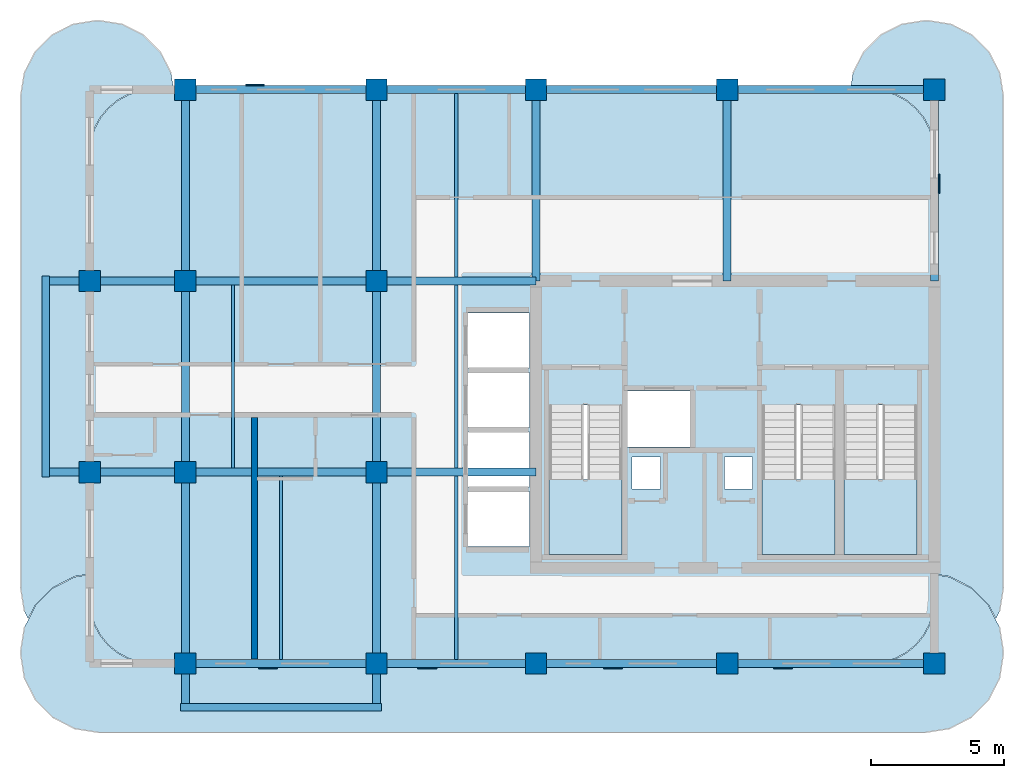
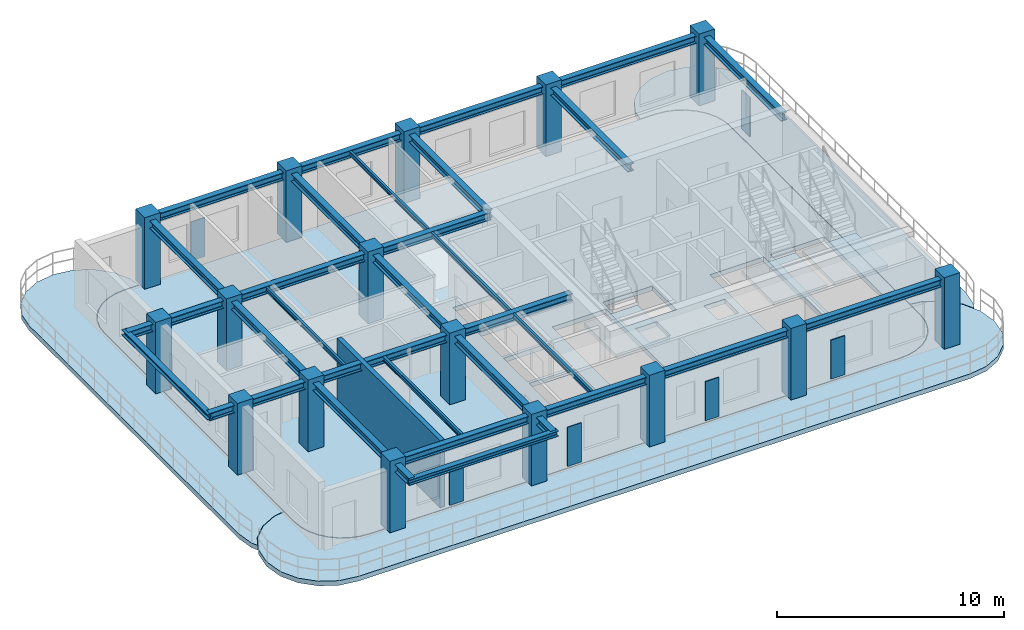
# One storey, part 1 of 7: 28 beams, 16 columns, 7 slabs, 6 plates, 1 wall, 3 elements without a shape of their own.
"""IFC4 building model written with IfcOpenShell, lengths in metres."""

from ifc_helpers import new_model, si_unit, derived_unit, direction, frame, frame_2d, origin, origin_2d, place, context, subcontext, project, spatial, polyline, rectangle, i_section, outline, extrude, source, transform, mapped, material, layer, layer_set, material_profile, profile_set, type_object, type_shapes, element, aggregate, save


model = new_model("IFC4")

# Units and contexts
model_context = context("Model", 3, precision=1e-05, world=origin(), true_north=direction((0.0, 1.0)))
body_context = subcontext(model_context, "Body", "Model", "MODEL_VIEW")
ifc_project = project(units=[si_unit("LENGTHUNIT", "METRE"), si_unit("AREAUNIT", "SQUARE_METRE"), si_unit("VOLUMEUNIT", "CUBIC_METRE"), si_unit("PLANEANGLEUNIT", "RADIAN"), si_unit("MASSUNIT", "GRAM", prefix="KILO"), si_unit("THERMODYNAMICTEMPERATUREUNIT", "KELVIN"), si_unit("POWERUNIT", "WATT"), derived_unit("THERMALTRANSMITTANCEUNIT", [(si_unit("POWERUNIT", "WATT"), 1), (si_unit("AREAUNIT", "SQUARE_METRE"), -1), (si_unit("THERMODYNAMICTEMPERATUREUNIT", "KELVIN"), -1)])], contexts=[model_context])

# Site, building, storey
site_placement = place(None, origin())
site = spatial("IfcSite", under=ifc_project, at=site_placement, CompositionType="ELEMENT")
building_placement = place(site_placement, origin())
building = spatial("IfcBuilding", under=site, at=building_placement, Name="Zahravan Archway Hotel and Residences", CompositionType="ELEMENT")
storey_placement = place(building_placement, frame((0.0, 0.0, 271.199951171875)))
storey = spatial("IfcBuildingStorey", under=building, at=storey_placement, Name="L68", CompositionType="ELEMENT", Elevation=271.199951171875)

# Columns
ifc_material_1 = material(Name="Concrete C50/60", Category="concrete")
ifc_material_profile_1 = material_profile(ifc_material_1, rectangle(XDim=0.800048828125, YDim=0.800048828125, at=origin_2d()), Name="RC-COL-800x800", Category="concrete")
ifc_profile_set_1 = profile_set([ifc_material_profile_1], Name="Concrete C50/60")
column_type = type_object("IfcColumnType", Name="COL-RC-800", PredefinedType="COLUMN", material=ifc_profile_set_1)
shared_shape_1 = source(origin(), body_context, "Body", "SweptSolid", [
    extrude(rectangle(XDim=0.800048828125, YDim=0.800048828125, at=origin_2d()), origin(), (0.0, 0.0, 1.0), 3.85009765625),
])
for number, where, z_axis, x_axis, name in (
    (1, (21.60009765625, 0.0, 0.0), (0.0, 0.0, 1.0), (1.0, 0.0, 0.0), "L68 Column 4-A"),
    (2, (21.60009765625, 7.199951171875, 0.0), (0.0, 0.0, 1.0), (1.0, 0.0, 0.0), "L68 Column 4-B"),
    (3, (21.60009765625, 14.39990234375, 0.0), (0.0, 0.0, 1.0), (1.0, 0.0, 0.0), "L68 Column 4-C"),
    (4, (21.60009765625, 21.60009765625, 0.0), (0.0, 0.0, 1.0), (1.0, 0.0, 0.0), "L68 Column 4-D"),
    (5, (28.800048828125, 0.0, 0.0), (0.0, 0.0, 1.0), (1.0, 0.0, 0.0), "L68 Column 5-A"),
    (6, (28.800048828125, 7.199951171875, 0.0), (0.0, 0.0, 1.0), (1.0, 0.0, 0.0), "L68 Column 5-B"),
    (7, (28.800048828125, 14.39990234375, 0.0), (0.0, 0.0, 1.0), (1.0, 0.0, 0.0), "L68 Column 5-C"),
    (8, (28.800048828125, 21.60009765625, 0.0), (0.0, 0.0, 1.0), (1.0, 0.0, 0.0), "L68 Column 5-D"),
    (9, (34.800048828125, 0.0, 0.0), (0.0, 0.0, 1.0), (1.0, 0.0, 0.0), "L68 Column 6-A"),
    (10, (34.800048828125, 21.60009765625, 0.0), (0.0, 0.0, 1.0), (1.0, 0.0, 0.0), "L68 Column 6-D"),
    (11, (42.0, 0.0, 0.0), (0.0, 0.0, 1.0), (1.0, 0.0, 0.0), "L68 Column 7-A"),
    (12, (42.0, 21.60009765625, 0.0), (0.0, 0.0, 1.0), (1.0, 0.0, 0.0), "L68 Column 7-D"),
    (13, (49.800048828125, 0.0, 0.0), (0.0, 0.0, 1.0), (1.0, 0.0, 0.0), "L68 Column 8-A"),
    (14, (49.800048828125, 21.60009765625, 0.0), (0.0, 0.0, 1.0), (1.0, 0.0, 0.0), "L68 Column 8-D"),
    (15, (18.0, 7.199951171875, 0.0), (0.0, 0.0, 1.0), (1.0, 0.0, 0.0), "L68 Column 3W-B"),
    (16, (18.0, 14.39990234375, 0.0), (0.0, 0.0, 1.0), (1.0, 0.0, 0.0), "L68 Column 3W-C"),
):
    element("IfcColumn", number, at=place(storey_placement, frame(where, z_axis=z_axis, x_axis=x_axis)), inside=storey, type_object=column_type, Name=name, PredefinedType="COLUMN", context=body_context, shape_type="MappedRepresentation", body=[
        mapped(shared_shape_1, transform((0.0, 0.0, 0.0), scale=1.0)),
    ])

# Beams
ifc_material_2 = material(Name="Structural Steel S355JR", Category="steel")
ifc_material_profile_2 = material_profile(ifc_material_2, i_section(OverallWidth=0.280029296875, OverallDepth=0.280029296875, WebThickness=0.010498046875, FlangeThickness=0.01806640625, FilletRadius=0.02392578125, at=origin_2d()), Name="HEB 280", Category="steel")
ifc_profile_set_2 = profile_set([ifc_material_profile_2], Name="Structural Steel S355JR")
beam_type_1 = type_object("IfcBeamType", Name="BM-SPN-HEB280", PredefinedType="SPANDREL", material=ifc_profile_set_2)
shared_shape_2 = source(origin(), body_context, "Body", "SweptSolid", [
    extrude(i_section(OverallWidth=0.280029296875, OverallDepth=0.280029296875, WebThickness=0.010498046875, FlangeThickness=0.01806640625, FilletRadius=0.02392578125, at=origin_2d()), origin(), (0.0, 0.0, 1.0), 7.56005859375),
])
type_shapes(beam_type_1, [shared_shape_2])
for number, where, z_axis, x_axis, name in (
    (17, (16.35009765625, 7.02001953125, 3.4599609375), (0.0, 1.0, 0.0), (-1.0, 0.0, 0.0), "L69 WA Balcony Edge Spandrel"),
    (18, (21.419921875, -1.64990234375, 3.4599609375), (1.0, 0.0, 0.0), (0.0, 1.0, 0.0), "L69 SA Balcony Edge Spandrel"),
):
    element("IfcBeam", number, at=place(storey_placement, frame(where, z_axis=z_axis, x_axis=x_axis)), inside=storey, type_object=beam_type_1, Name=name, PredefinedType="SPANDREL", context=body_context, shape_type="MappedRepresentation", body=[
        mapped(shared_shape_2, transform((0.0, 0.0, 0.0), scale=1.0)),
    ])
ifc_material_profile_3 = material_profile(ifc_material_2, i_section(OverallWidth=0.300048828125, OverallDepth=0.39990234375, WebThickness=0.013427734375, FlangeThickness=0.02392578125, FilletRadius=0.027099609375, at=origin_2d()), Name="HEB 400", Category="steel")
ifc_profile_set_3 = profile_set([ifc_material_profile_3], Name="Structural Steel S355JR")
beam_type_2 = type_object("IfcBeamType", Name="BM-PRI-HEB400", PredefinedType="BEAM", material=ifc_profile_set_3)
shared_shape_3 = source(origin(), body_context, "Body", "SweptSolid", [
    extrude(i_section(OverallWidth=0.300048828125, OverallDepth=0.39990234375, WebThickness=0.013427734375, FlangeThickness=0.02392578125, FilletRadius=0.027099609375, at=origin_2d()), origin(), (0.0, 0.0, 1.0), 7.199951171875),
])
type_shapes(beam_type_2, [shared_shape_3])
for number, where, z_axis, x_axis, name in (
    (19, (21.60009765625, 0.0, 3.400146484375), (1.0, 0.0, 0.0), (0.0, 1.0, 0.0), "L68 Primary Girder EW-01"),
    (20, (34.800048828125, 0.0, 3.400146484375), (1.0, 0.0, 0.0), (0.0, 1.0, 0.0), "L68 Primary Girder EW-03"),
    (21, (21.60009765625, 21.60009765625, 3.400146484375), (1.0, 0.0, 0.0), (0.0, 1.0, 0.0), "L68 Primary Girder EW-09"),
    (22, (34.800048828125, 21.60009765625, 3.400146484375), (1.0, 0.0, 0.0), (0.0, 1.0, 0.0), "L68 Primary Girder EW-11"),
    (23, (21.60009765625, 7.199951171875, 3.400146484375), (0.0, 1.0, 0.0), (-1.0, 0.0, 0.0), "L68 Primary Girder NS-14"),
    (24, (28.800048828125, 7.199951171875, 3.400146484375), (0.0, 1.0, 0.0), (-1.0, 0.0, 0.0), "L68 Primary Girder NS-17"),
):
    element("IfcBeam", number, at=place(storey_placement, frame(where, z_axis=z_axis, x_axis=x_axis)), inside=storey, type_object=beam_type_2, Name=name, PredefinedType="BEAM", context=body_context, shape_type="MappedRepresentation", body=[
        mapped(shared_shape_3, transform((0.0, 0.0, 0.0), scale=1.0)),
    ])
shared_shape_4 = source(origin(), body_context, "Body", "SweptSolid", [
    extrude(i_section(OverallWidth=0.300048828125, OverallDepth=0.39990234375, WebThickness=0.013427734375, FlangeThickness=0.02392578125, FilletRadius=0.027099609375, at=origin_2d()), origin(), (0.0, 0.0, 1.0), 6.0),
])
for number, where, z_axis, x_axis, name in (
    (25, (28.800048828125, 0.0, 3.400146484375), (1.0, 0.0, 0.0), (0.0, 1.0, 0.0), "L68 Primary Girder EW-02"),
    (26, (28.800048828125, 7.199951171875, 3.400146484375), (1.0, 0.0, 0.0), (0.0, 1.0, 0.0), "L68 Primary Girder EW-06"),
    (27, (28.800048828125, 14.39990234375, 3.400146484375), (1.0, 0.0, 0.0), (0.0, 1.0, 0.0), "L68 Primary Girder EW-08"),
    (28, (28.800048828125, 21.60009765625, 3.400146484375), (1.0, 0.0, 0.0), (0.0, 1.0, 0.0), "L68 Primary Girder EW-10"),
):
    element("IfcBeam", number, at=place(storey_placement, frame(where, z_axis=z_axis, x_axis=x_axis)), inside=storey, type_object=beam_type_2, Name=name, PredefinedType="BEAM", context=body_context, shape_type="MappedRepresentation", body=[
        mapped(shared_shape_4, transform((0.0, 0.0, 0.0), scale=1.0)),
    ])
shared_shape_5 = source(origin(), body_context, "Body", "SweptSolid", [
    extrude(i_section(OverallWidth=0.300048828125, OverallDepth=0.39990234375, WebThickness=0.013427734375, FlangeThickness=0.02392578125, FilletRadius=0.027099609375, at=origin_2d()), origin(), (0.0, 0.0, 1.0), 7.800048828125),
])
for number, where, z_axis, x_axis, name in (
    (29, (42.0, 0.0, 3.400146484375), (1.0, 0.0, 0.0), (0.0, 1.0, 0.0), "L68 Primary Girder EW-04"),
    (30, (42.0, 21.60009765625, 3.400146484375), (1.0, 0.0, 0.0), (0.0, 1.0, 0.0), "L68 Primary Girder EW-12"),
):
    element("IfcBeam", number, at=place(storey_placement, frame(where, z_axis=z_axis, x_axis=x_axis)), inside=storey, type_object=beam_type_2, Name=name, PredefinedType="BEAM", context=body_context, shape_type="MappedRepresentation", body=[
        mapped(shared_shape_5, transform((0.0, 0.0, 0.0), scale=1.0)),
    ])
shared_shape_6 = source(origin(), body_context, "Body", "SweptSolid", [
    extrude(i_section(OverallWidth=0.300048828125, OverallDepth=0.39990234375, WebThickness=0.013427734375, FlangeThickness=0.02392578125, FilletRadius=0.027099609375, at=origin_2d()), origin(), (0.0, 0.0, 1.0), 7.2001953125),
])
for number, where, z_axis, x_axis, name in (
    (31, (21.60009765625, 14.39990234375, 3.400146484375), (0.0, 1.0, 0.0), (-1.0, 0.0, 0.0), "L68 Primary Girder NS-15"),
    (32, (28.800048828125, 14.39990234375, 3.400146484375), (0.0, 1.0, 0.0), (-1.0, 0.0, 0.0), "L68 Primary Girder NS-18"),
    (33, (34.800048828125, 14.39990234375, 3.400146484375), (0.0, 1.0, 0.0), (-1.0, 0.0, 0.0), "L68 Primary Girder NS-19"),
    (34, (42.0, 14.39990234375, 3.400146484375), (0.0, 1.0, 0.0), (-1.0, 0.0, 0.0), "L68 Primary Girder NS-20"),
    (35, (49.800048828125, 14.39990234375, 3.400146484375), (0.0, 1.0, 0.0), (-1.0, 0.0, 0.0), "L68 Primary Girder NS-21"),
):
    element("IfcBeam", number, at=place(storey_placement, frame(where, z_axis=z_axis, x_axis=x_axis)), inside=storey, type_object=beam_type_2, Name=name, PredefinedType="BEAM", context=body_context, shape_type="MappedRepresentation", body=[
        mapped(shared_shape_6, transform((0.0, 0.0, 0.0), scale=1.0)),
    ])
ifc_material_profile_4 = material_profile(ifc_material_2, i_section(OverallWidth=0.1201171875, OverallDepth=0.239990234375, WebThickness=0.006103515625, FlangeThickness=0.009765625, FilletRadius=0.014892578125, at=origin_2d()), Name="IPE 240", Category="steel")
ifc_profile_set_4 = profile_set([ifc_material_profile_4], Name="Structural Steel S355JR")
beam_type_3 = type_object("IfcBeamType", Name="BM-JST-IPE240", PredefinedType="JOIST", material=ifc_profile_set_4)
shared_shape_7 = source(origin(), body_context, "Body", "SweptSolid", [
    extrude(i_section(OverallWidth=0.1201171875, OverallDepth=0.239990234375, WebThickness=0.006103515625, FlangeThickness=0.009765625, FilletRadius=0.014892578125, at=origin_2d()), origin(), (0.0, 0.0, 1.0), 6.904052734375),
])
type_shapes(beam_type_3, [shared_shape_7])
for number, where, z_axis, x_axis, name in (
    (36, (25.199951171875, 0.14794921875, 3.47998046875), (0.0, 1.0, 0.0), (-1.0, 0.0, 0.0), "L68 Composite Floor Joist 01"),
    (37, (31.800048828125, 0.14794921875, 3.47998046875), (0.0, 1.0, 0.0), (-1.0, 0.0, 0.0), "L68 Composite Floor Joist 02"),
    (38, (23.39990234375, 7.347900390625, 3.47998046875), (0.0, 1.0, 0.0), (-1.0, 0.0, 0.0), "L68 Composite Floor Joist 03"),
    (39, (31.800048828125, 7.347900390625, 3.47998046875), (0.0, 1.0, 0.0), (-1.0, 0.0, 0.0), "L68 Composite Floor Joist 04"),
):
    element("IfcBeam", number, at=place(storey_placement, frame(where, z_axis=z_axis, x_axis=x_axis)), inside=storey, type_object=beam_type_3, Name=name, PredefinedType="JOIST", context=body_context, shape_type="MappedRepresentation", body=[
        mapped(shared_shape_7, transform((0.0, 0.0, 0.0), scale=1.0)),
    ])
shared_shape_8 = source(origin(), body_context, "Body", "SweptSolid", [
    extrude(i_section(OverallWidth=0.1201171875, OverallDepth=0.239990234375, WebThickness=0.006103515625, FlangeThickness=0.009765625, FilletRadius=0.014892578125, at=origin_2d()), origin(), (0.0, 0.0, 1.0), 6.90380859375),
])
beam_placement = place(storey_placement, frame((31.800048828125, 14.548095703125, 3.47998046875), z_axis=(0.0, 1.0, 0.0), x_axis=(-1.0, 0.0, 0.0)))
element("IfcBeam", 40, at=beam_placement, inside=storey, type_object=beam_type_3, Name="L68 Composite Floor Joist 05", PredefinedType="JOIST", context=body_context, shape_type="MappedRepresentation", body=[
    mapped(shared_shape_8, transform((0.0, 0.0, 0.0), scale=1.0)),
])
shared_shape_9 = source(origin(), body_context, "Body", "SweptSolid", [
    extrude(i_section(OverallWidth=0.300048828125, OverallDepth=0.39990234375, WebThickness=0.013427734375, FlangeThickness=0.02392578125, FilletRadius=0.027099609375, at=origin_2d()), origin(), (0.0, 0.0, 1.0), 12.449951171875),
])
for number, where, z_axis, x_axis, name in (
    (41, (16.35009765625, 7.199951171875, 3.400146484375), (1.0, 0.0, 0.0), (0.0, 1.0, 0.0), "L68 Primary Girder EW-05"),
    (42, (16.35009765625, 14.39990234375, 3.400146484375), (1.0, 0.0, 0.0), (0.0, 1.0, 0.0), "L68 Primary Girder EW-07"),
):
    element("IfcBeam", number, at=place(storey_placement, frame(where, z_axis=z_axis, x_axis=x_axis)), inside=storey, type_object=beam_type_2, Name=name, PredefinedType="BEAM", context=body_context, shape_type="MappedRepresentation", body=[
        mapped(shared_shape_9, transform((0.0, 0.0, 0.0), scale=1.0)),
    ])
shared_shape_10 = source(origin(), body_context, "Body", "SweptSolid", [
    extrude(i_section(OverallWidth=0.300048828125, OverallDepth=0.39990234375, WebThickness=0.013427734375, FlangeThickness=0.02392578125, FilletRadius=0.027099609375, at=origin_2d()), origin(), (0.0, 0.0, 1.0), 8.849853515625),
])
for number, where, z_axis, x_axis, name in (
    (43, (21.60009765625, -1.64990234375, 3.400146484375), (0.0, 1.0, 0.0), (-1.0, 0.0, 0.0), "L68 Primary Girder NS-13"),
    (44, (28.800048828125, -1.64990234375, 3.400146484375), (0.0, 1.0, 0.0), (-1.0, 0.0, 0.0), "L68 Primary Girder NS-16"),
):
    element("IfcBeam", number, at=place(storey_placement, frame(where, z_axis=z_axis, x_axis=x_axis)), inside=storey, type_object=beam_type_2, Name=name, PredefinedType="BEAM", context=body_context, shape_type="MappedRepresentation", body=[
        mapped(shared_shape_10, transform((0.0, 0.0, 0.0), scale=1.0)),
    ])

# Slabs
ifc_material_3 = material(Name="Concrete C45/55", Category="concrete")
ifc_layer_1 = layer(ifc_material_3, 0.25, Name="Concrete C45/55", Category="concrete")
ifc_layer_set_1 = layer_set([ifc_layer_1], Name="Concrete C45/55")
slab_type_1 = type_object("IfcSlabType", Name="SLB-BALC-250", PredefinedType="FLOOR", material=ifc_layer_set_1)
slab_1_placement = place(storey_placement, frame((0.0, 0.0, -0.25)))
element("IfcSlab", 45, at=slab_1_placement, inside=storey, type_object=slab_type_1, Name="L68 Wing A South Rounded Balcony Band", PredefinedType="FLOOR", context=body_context, shape_type="SweptSolid", body=[
    extrude(outline(polyline([(50.361572265625, 3.255615234375), (51.18408203125, 2.836669921875), (51.836669921875, 2.18408203125), (52.255615234375, 1.361572265625), (52.39990234375, 0.449951171875), (52.39990234375, 0.35009765625), (52.255615234375, -0.5615234375), (51.836669921875, -1.384033203125), (51.18408203125, -2.03662109375), (50.361572265625, -2.45556640625), (49.449951171875, -2.60009765625), (18.35009765625, -2.60009765625), (17.4384765625, -2.45556640625), (16.615966796875, -2.03662109375), (15.96337890625, -1.384033203125), (15.54443359375, -0.5615234375), (15.39990234375, 0.35009765625), (15.39990234375, 0.449951171875), (15.54443359375, 1.361572265625), (15.96337890625, 2.18408203125), (16.615966796875, 2.836669921875), (17.4384765625, 3.255615234375), (17.97998046875, 3.34130859375), (17.97998046875, 2.39990234375), (17.97998046875, 2.39794921875), (18.026123046875, 1.9296875), (18.026611328125, 1.927978515625), (18.027099609375, 1.926025390625), (18.16357421875, 1.475830078125), (18.164306640625, 1.473876953125), (18.1650390625, 1.47216796875), (18.386962890625, 1.05712890625), (18.387939453125, 1.055419921875), (18.388916015625, 1.053955078125), (18.6875, 0.690185546875), (18.688720703125, 0.688720703125), (18.690185546875, 0.6875), (19.053955078125, 0.388916015625), (19.055419921875, 0.387939453125), (19.05712890625, 0.386962890625), (19.47216796875, 0.1650390625), (19.473876953125, 0.164306640625), (19.475830078125, 0.16357421875), (19.926025390625, 0.027099609375), (19.927978515625, 0.026611328125), (19.9296875, 0.026123046875), (20.39794921875, -0.02001953125), (20.39990234375, -0.02001953125), (47.39990234375, -0.02001953125), (47.402099609375, -0.02001953125), (47.8701171875, 0.026123046875), (47.8720703125, 0.026611328125), (47.8740234375, 0.027099609375), (48.32421875, 0.16357421875), (48.326171875, 0.164306640625), (48.327880859375, 0.1650390625), (48.742919921875, 0.386962890625), (48.744384765625, 0.387939453125), (48.74609375, 0.388916015625), (49.10986328125, 0.6875), (49.111083984375, 0.688720703125), (49.112548828125, 0.690185546875), (49.410888671875, 1.053955078125), (49.412109375, 1.055419921875), (49.4130859375, 1.05712890625), (49.635009765625, 1.47216796875), (49.6357421875, 1.473876953125), (49.636474609375, 1.475830078125), (49.77294921875, 1.926025390625), (49.7734375, 1.927978515625), (49.773681640625, 1.9296875), (49.81982421875, 2.39794921875), (49.820068359375, 2.39990234375), (49.820068359375, 3.34130859375), (50.361572265625, 3.255615234375)])), origin(), (0.0, 0.0, 1.0), 0.25),
])
slab_2_placement = place(storey_placement, frame((0.0, 0.0, -0.25)))
element("IfcSlab", 46, at=slab_2_placement, inside=storey, type_object=slab_type_1, Name="L68 Wing A East Rounded Balcony Band", PredefinedType="FLOOR", context=body_context, shape_type="SweptSolid", body=[
    extrude(outline(polyline([(46.739501953125, 22.230712890625), (47.144287109375, 23.025146484375), (47.77490234375, 23.65576171875), (48.5693359375, 24.060546875), (49.449951171875, 24.199951171875), (49.550048828125, 24.199951171875), (50.4306640625, 24.060546875), (51.22509765625, 23.65576171875), (51.855712890625, 23.025146484375), (52.260498046875, 22.230712890625), (52.39990234375, 21.35009765625), (52.39990234375, 2.85009765625), (52.260498046875, 1.96923828125), (52.114501953125, 1.6826171875), (51.8544921875, 2.193115234375), (51.853515625, 2.19482421875), (51.85205078125, 2.196533203125), (51.8505859375, 2.197998046875), (51.197998046875, 2.8505859375), (51.196533203125, 2.85205078125), (51.19482421875, 2.853515625), (51.193115234375, 2.8544921875), (50.37060546875, 3.2734375), (50.368896484375, 3.2744140625), (50.36669921875, 3.27490234375), (50.36474609375, 3.275390625), (49.822998046875, 3.361083984375), (49.8212890625, 3.361328125), (49.820068359375, 3.361328125), (49.820068359375, 19.199951171875), (49.81982421875, 19.201904296875), (49.773681640625, 19.670166015625), (49.7734375, 19.672119140625), (49.77294921875, 19.674072265625), (49.636474609375, 20.124267578125), (49.6357421875, 20.126220703125), (49.635009765625, 20.127685546875), (49.4130859375, 20.542724609375), (49.412109375, 20.54443359375), (49.410888671875, 20.546142578125), (49.112548828125, 20.909912109375), (49.111083984375, 20.9111328125), (49.10986328125, 20.91259765625), (48.74609375, 21.2109375), (48.744384765625, 21.212158203125), (48.742919921875, 21.213134765625), (48.327880859375, 21.434814453125), (48.326171875, 21.435791015625), (48.32421875, 21.436279296875), (47.8740234375, 21.572998046875), (47.8720703125, 21.573486328125), (47.8701171875, 21.57373046875), (47.402099609375, 21.619873046875), (47.39990234375, 21.6201171875), (46.642822265625, 21.6201171875), (46.739501953125, 22.230712890625)])), origin(), (0.0, 0.0, 1.0), 0.25),
])
slab_3_placement = place(storey_placement, frame((0.0, 0.0, -0.25)))
element("IfcSlab", 47, at=slab_3_placement, inside=storey, type_object=slab_type_1, Name="L68 Wing A West Rounded Balcony Band", PredefinedType="FLOOR", context=body_context, shape_type="SweptSolid", body=[
    extrude(outline(polyline([(15.53955078125, 1.96923828125), (15.39990234375, 2.85009765625), (15.39990234375, 21.35009765625), (15.53955078125, 22.230712890625), (15.9443359375, 23.025146484375), (16.57470703125, 23.65576171875), (17.369384765625, 24.060546875), (18.25, 24.199951171875), (18.35009765625, 24.199951171875), (19.230712890625, 24.060546875), (20.025146484375, 23.65576171875), (20.65576171875, 23.025146484375), (21.060546875, 22.230712890625), (21.1572265625, 21.6201171875), (20.39990234375, 21.6201171875), (20.39794921875, 21.619873046875), (19.9296875, 21.57373046875), (19.927978515625, 21.573486328125), (19.926025390625, 21.572998046875), (19.475830078125, 21.436279296875), (19.473876953125, 21.435791015625), (19.47216796875, 21.434814453125), (19.05712890625, 21.213134765625), (19.055419921875, 21.212158203125), (19.053955078125, 21.2109375), (18.690185546875, 20.91259765625), (18.688720703125, 20.9111328125), (18.6875, 20.909912109375), (18.388916015625, 20.546142578125), (18.387939453125, 20.54443359375), (18.386962890625, 20.542724609375), (18.1650390625, 20.127685546875), (18.164306640625, 20.126220703125), (18.16357421875, 20.124267578125), (18.027099609375, 19.674072265625), (18.026611328125, 19.672119140625), (18.026123046875, 19.670166015625), (17.97998046875, 19.201904296875), (17.97998046875, 19.199951171875), (17.97998046875, 3.361328125), (17.978759765625, 3.361328125), (17.976806640625, 3.361083984375), (17.435302734375, 3.275390625), (17.43310546875, 3.27490234375), (17.43115234375, 3.2744140625), (17.42919921875, 3.2734375), (16.60693359375, 2.8544921875), (16.60498046875, 2.853515625), (16.603515625, 2.85205078125), (16.601806640625, 2.8505859375), (15.94921875, 2.197998046875), (15.947998046875, 2.196533203125), (15.946533203125, 2.19482421875), (15.945556640625, 2.193115234375), (15.685546875, 1.6826171875), (15.53955078125, 1.96923828125)])), origin(), (0.0, 0.0, 1.0), 0.25),
])
ifc_layer_2 = layer(ifc_material_3, 0.25, Name="Concrete C45/55", Category="concrete")
ifc_layer_set_2 = layer_set([ifc_layer_2], Name="Concrete C45/55")
slab_type_2 = type_object("IfcSlabType", Name="SLB-FLR-250", PredefinedType="FLOOR", material=ifc_layer_set_2)
slab_4_placement = place(storey_placement, frame((0.0, 0.0, -0.25)))
element("IfcSlab", 48, at=slab_4_placement, inside=storey, type_object=slab_type_2, Name="L68 Floor Slab WA", PredefinedType="FLOOR", context=body_context, shape_type="SweptSolid", body=[
    extrude(outline(polyline([(47.39990234375, 0.0), (47.8681640625, 0.046142578125), (48.318359375, 0.1826171875), (48.7333984375, 0.404541015625), (49.09716796875, 0.702880859375), (49.3955078125, 1.066650390625), (49.6171875, 1.481689453125), (49.75390625, 1.931884765625), (49.800048828125, 2.39990234375), (49.800048828125, 19.199951171875), (49.75390625, 19.668212890625), (49.6171875, 20.118408203125), (49.3955078125, 20.533447265625), (49.09716796875, 20.897216796875), (48.7333984375, 21.195556640625), (48.318359375, 21.417236328125), (47.8681640625, 21.553955078125), (47.39990234375, 21.60009765625), (20.39990234375, 21.60009765625), (19.931884765625, 21.553955078125), (19.481689453125, 21.417236328125), (19.066650390625, 21.195556640625), (18.702880859375, 20.897216796875), (18.404541015625, 20.533447265625), (18.1826171875, 20.118408203125), (18.046142578125, 19.668212890625), (18.0, 19.199951171875), (18.0, 2.39990234375), (18.046142578125, 1.931884765625), (18.1826171875, 1.481689453125), (18.404541015625, 1.066650390625), (18.702880859375, 0.702880859375), (19.066650390625, 0.404541015625), (19.481689453125, 0.1826171875), (19.931884765625, 0.046142578125), (20.39990234375, 0.0), (47.39990234375, 0.0)]), holes=[polyline([(35.300048828125, 9.72998046875), (35.300048828125, 4.10009765625), (38.0400390625, 4.10009765625), (38.0400390625, 9.72998046875), (35.300048828125, 9.72998046875)]), polyline([(43.320068359375, 9.72998046875), (43.320068359375, 4.10009765625), (46.06005859375, 4.10009765625), (46.06005859375, 9.72998046875), (43.320068359375, 9.72998046875)]), polyline([(46.39990234375, 9.72998046875), (46.39990234375, 4.10009765625), (49.139892578125, 4.10009765625), (49.139892578125, 9.72998046875), (46.39990234375, 9.72998046875)]), polyline([(38.179931640625, 8.14990234375), (40.699951171875, 8.14990234375), (40.699951171875, 10.25), (38.179931640625, 10.25), (38.179931640625, 8.14990234375)]), polyline([(32.25, 4.39990234375), (34.550048828125, 4.39990234375), (34.550048828125, 6.47998046875), (32.25, 6.47998046875), (32.25, 4.39990234375)]), polyline([(32.25, 6.639892578125), (34.550048828125, 6.639892578125), (34.550048828125, 8.719970703125), (32.25, 8.719970703125), (32.25, 6.639892578125)]), polyline([(32.25, 8.8798828125), (34.550048828125, 8.8798828125), (34.550048828125, 10.9599609375), (32.25, 10.9599609375), (32.25, 8.8798828125)]), polyline([(32.25, 11.1201171875), (34.550048828125, 11.1201171875), (34.550048828125, 13.199951171875), (32.25, 13.199951171875), (32.25, 11.1201171875)]), polyline([(38.419921875, 6.56005859375), (39.5, 6.56005859375), (39.5, 7.780029296875), (38.419921875, 7.780029296875), (38.419921875, 6.56005859375)]), polyline([(41.89990234375, 6.56005859375), (42.9599609375, 6.56005859375), (42.9599609375, 7.780029296875), (41.89990234375, 7.780029296875), (41.89990234375, 6.56005859375)])]), origin(), (0.0, 0.0, 1.0), 0.25),
])

# Stair, slab
stair_type = type_object("IfcStairType", Name="STR-CORE-1300", PredefinedType="HALF_TURN_STAIR", material=ifc_material_1)
stair_1_placement = place(storey_placement, origin())
stair_1 = element("IfcStair", 49, at=stair_1_placement, inside=storey, type_object=stair_type, Name="L68 Core A Exit Stair 1", PredefinedType="HALF_TURN_STAIR")
ifc_layer_3 = layer(ifc_material_1, 0.199951171875, Name="Concrete C50/60", Category="concrete")
ifc_layer_set_3 = layer_set([ifc_layer_3], Name="Concrete C50/60")
slab_type_3 = type_object("IfcSlabType", Name="SLB-LND-200", PredefinedType="LANDING", material=ifc_layer_set_3)
slab_5_placement = place(storey_placement, frame((0.0, 0.0, 1.72509765625)))
slab_5 = element("IfcSlab", 50, at=slab_5_placement, type_object=slab_type_3, Name="ST-A1 landing 1", PredefinedType="LANDING", context=body_context, shape_type="SweptSolid", body=[
    extrude(outline(polyline([(35.300048828125, 6.929931640625), (35.300048828125, 4.10009765625), (38.0400390625, 4.10009765625), (38.0400390625, 6.929931640625), (35.300048828125, 6.929931640625)])), origin(), (0.0, 0.0, 1.0), 0.199951171875),
])
aggregate(stair_1, [slab_5])

stair_2_placement = place(storey_placement, origin())
stair_2 = element("IfcStair", 51, at=stair_2_placement, inside=storey, type_object=stair_type, Name="L68 Core A Exit Stair 2", PredefinedType="HALF_TURN_STAIR")
slab_6_placement = place(storey_placement, frame((0.0, 0.0, 1.72509765625)))
slab_6 = element("IfcSlab", 52, at=slab_6_placement, type_object=slab_type_3, Name="ST-A2 landing 1", PredefinedType="LANDING", context=body_context, shape_type="SweptSolid", body=[
    extrude(outline(polyline([(43.320068359375, 6.929931640625), (43.320068359375, 4.10009765625), (46.06005859375, 4.10009765625), (46.06005859375, 6.929931640625), (43.320068359375, 6.929931640625)])), origin(), (0.0, 0.0, 1.0), 0.199951171875),
])
aggregate(stair_2, [slab_6])

stair_3_placement = place(storey_placement, origin())
stair_3 = element("IfcStair", 53, at=stair_3_placement, inside=storey, type_object=stair_type, Name="L68 Core A Exit Stair 3", PredefinedType="HALF_TURN_STAIR")
slab_7_placement = place(storey_placement, frame((0.0, 0.0, 1.72509765625)))
slab_7 = element("IfcSlab", 54, at=slab_7_placement, type_object=slab_type_3, Name="ST-A3 landing 1", PredefinedType="LANDING", context=body_context, shape_type="SweptSolid", body=[
    extrude(outline(polyline([(46.39990234375, 6.929931640625), (46.39990234375, 4.10009765625), (49.139892578125, 4.10009765625), (49.139892578125, 6.929931640625), (46.39990234375, 6.929931640625)])), origin(), (0.0, 0.0, 1.0), 0.199951171875),
])
aggregate(stair_3, [slab_7])

# Plates
ifc_material_4 = material(Name="Perforated Cast Bronze Jali Lattice")
ifc_layer_4 = layer(ifc_material_4, 0.044921875, Name="Perforated Cast Bronze Jali Lattice")
ifc_layer_set_4 = layer_set([ifc_layer_4], Name="Perforated Cast Bronze Jali Lattice")
plate_type = type_object("IfcPlateType", Name="PLT-JALI-BAY", PredefinedType="USERDEFINED", material=ifc_layer_set_4)
shared_shape_11 = source(origin(), body_context, "Body", "SweptSolid", [
    extrude(rectangle(XDim=0.699951171875, YDim=0.044921875, at=origin_2d()), origin(), (0.0, 0.0, 1.0), 2.10009765625),
])
type_shapes(plate_type, [shared_shape_11])
for number, where, z_axis, x_axis, name in (
    (55, (24.7080078125, -0.177978515625, 0.25), (0.0, 0.0, 1.0), (1.0, 0.0, 0.0), "L68 Perforated Bronze Jali Pier Screen 01"),
    (56, (30.7080078125, -0.177978515625, 0.25), (0.0, 0.0, 1.0), (1.0, 0.0, 0.0), "L68 Perforated Bronze Jali Pier Screen 02"),
    (57, (37.7080078125, -0.177978515625, 0.25), (0.0, 0.0, 1.0), (1.0, 0.0, 0.0), "L68 Perforated Bronze Jali Pier Screen 03"),
    (58, (44.10791015625, -0.177978515625, 0.25), (0.0, 0.0, 1.0), (1.0, 0.0, 0.0), "L68 Perforated Bronze Jali Pier Screen 04"),
    (59, (49.97802734375, 18.05908203125, 0.25), (0.0, 0.0, 1.0), (0.0, 1.0, 0.0), "L68 Perforated Bronze Jali Pier Screen 05"),
    (60, (24.22802734375, 21.778076171875, 0.25), (0.0, 0.0, 1.0), (1.0, 0.0, 0.0), "L68 Perforated Bronze Jali Pier Screen 06"),
):
    element("IfcPlate", number, at=place(storey_placement, frame(where, z_axis=z_axis, x_axis=x_axis)), inside=storey, type_object=plate_type, Name=name, ObjectType="SCREEN", PredefinedType="USERDEFINED", context=body_context, shape_type="MappedRepresentation", body=[
        mapped(shared_shape_11, transform((0.0, 0.0, 0.0), scale=1.0)),
    ])

# Wall
ifc_material_5 = material(Name="Fire-Rated Gypsum & Concrete Block", Category="concrete")
ifc_layer_5 = layer(ifc_material_5, 0.219970703125, Name="Fire-Rated Gypsum & Concrete Block", Category="concrete")
ifc_layer_set_5 = layer_set([ifc_layer_5], Name="Fire-Rated Gypsum & Concrete Block")
wall_type = type_object("IfcWallType", Name="PW-COMP-220", PredefinedType="PARTITIONING", material=ifc_layer_set_5)
wall_placement = place(storey_placement, frame((24.199951171875, 0.16796875, 0.0), z_axis=(0.0, 0.0, 1.0), x_axis=(0.0, 1.0, 0.0)))
element("IfcWall", 61, at=wall_placement, inside=storey, type_object=wall_type, Name="L68 Partition WAS-SBK2", PredefinedType="PARTITIONING", context=body_context, shape_type="SweptSolid", body=[
    extrude(rectangle(XDim=9.092041015625, YDim=0.219970703125, at=frame_2d((4.5458984375, 0.0))), origin(), (0.0, 0.0, 1.0), 3.60009765625),
])

save(model, "model.ifc")
